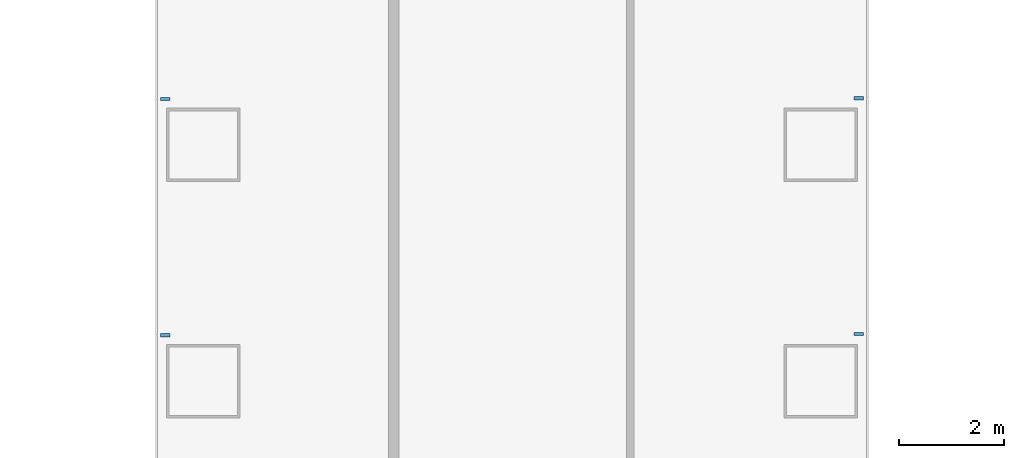
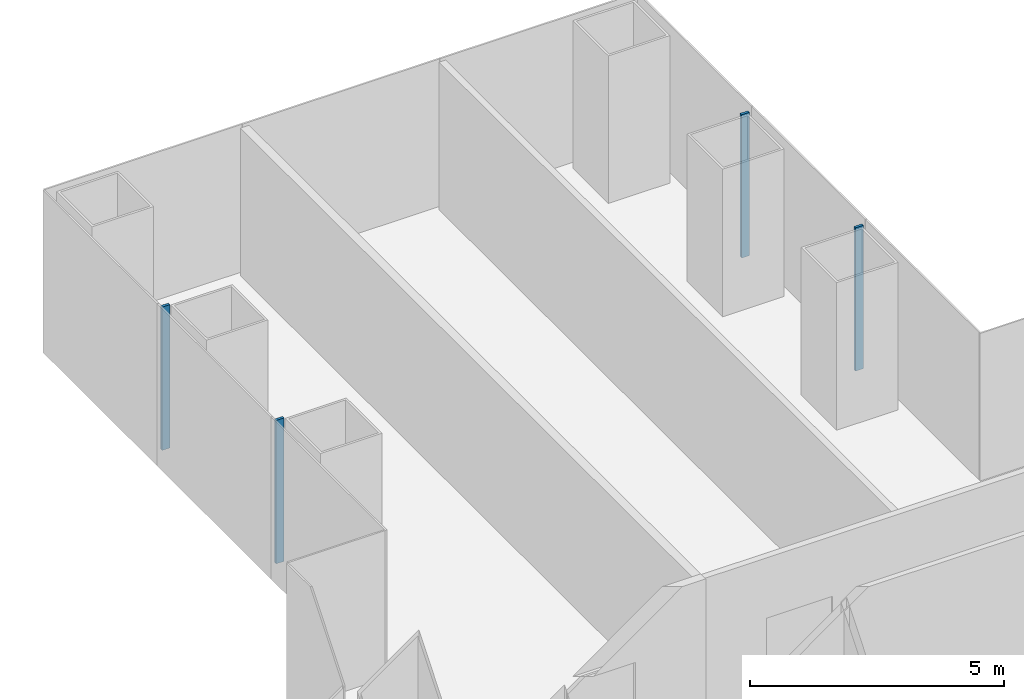
# One storey, part 6 of 21: 4 members, 2 elements without a shape of their own.
"""IFC4 building model written with IfcOpenShell, lengths in metres."""

from ifc_helpers import new_model, si_unit, direction, frame, origin, origin_2d, place, context, subcontext, project, spatial, rectangle, extrude, material, layer, layer_set, material_profile, profile_set, type_object, element, aggregate, save


model = new_model("IFC4")

# Units and contexts
model_context = context("Model", 3, precision=1e-05, world=origin(), true_north=direction((0.0, 1.0)))
body_context = subcontext(model_context, "Body", "Model", "MODEL_VIEW")
ifc_project = project(units=[si_unit("LENGTHUNIT", "METRE"), si_unit("AREAUNIT", "SQUARE_METRE"), si_unit("VOLUMEUNIT", "CUBIC_METRE"), si_unit("PLANEANGLEUNIT", "RADIAN"), si_unit("MASSUNIT", "GRAM", prefix="KILO")], contexts=[model_context])

# Site, building, storey
site_placement = place(None, origin())
site = spatial("IfcSite", under=ifc_project, at=site_placement, CompositionType="ELEMENT")
building_placement = place(site_placement, origin())
building = spatial("IfcBuilding", under=site, at=building_placement, Name="Shamsa Quay Exchange Towers", CompositionType="ELEMENT")
storey_placement = place(building_placement, frame((0.0, 0.0, 49.800048828125)))
storey = spatial("IfcBuildingStorey", under=building, at=storey_placement, Name="L10", CompositionType="ELEMENT", Elevation=49.800048828125)

# Curtain wall, members
ifc_material = material(Name="Aluminium EN AW-6063 T6, black anodised", Category="aluminium")
ifc_layer = layer(ifc_material, 0.280029296875)
ifc_layer_set = layer_set([ifc_layer], Name="CW-1 UNITISED VISION GLASS")
curtain_wall_type = type_object("IfcCurtainWallType", Name="CW-1 UNITISED VISION GLASS", PredefinedType="NOTDEFINED", material=ifc_layer_set)
curtain_wall_1_placement = place(storey_placement, origin())
curtain_wall_1 = element("IfcCurtainWall", 1, at=curtain_wall_1_placement, inside=storey, type_object=curtain_wall_type, Name="CW1 T1-FLK-V+E L10", PredefinedType="NOTDEFINED")
ifc_material_profile = material_profile(ifc_material, rectangle(XDim=0.179931640625, YDim=0.06005859375, at=origin_2d()), Name="MU60x180")
ifc_profile_set = profile_set([ifc_material_profile], Name="Aluminium EN AW-6063 T6, black anodised")
member_type = type_object("IfcMemberType", Name="CW1 MULLION 60x180", PredefinedType="MULLION", material=ifc_profile_set)
member_1_placement = place(storey_placement, frame((-27.14990234375, 15.775390625, 0.0), z_axis=(0.0, 0.0, 1.0), x_axis=(-1.0, 0.0, 0.0)))
member_1 = element("IfcMember", 2, at=member_1_placement, type_object=member_type, Name="CW1 mullion", PredefinedType="MULLION", context=body_context, shape_type="SweptSolid", body=[
    extrude(rectangle(XDim=0.179931640625, YDim=0.06005859375, at=origin_2d()), origin(), (0.0, 0.0, 1.0), 3.449951171875),
])
member_2_placement = place(storey_placement, frame((-27.14990234375, 20.2626953125, 0.0), z_axis=(0.0, 0.0, 1.0), x_axis=(-1.0, 0.0, 0.0)))
member_2 = element("IfcMember", 3, at=member_2_placement, type_object=member_type, Name="CW1 mullion", PredefinedType="MULLION", context=body_context, shape_type="SweptSolid", body=[
    extrude(rectangle(XDim=0.179931640625, YDim=0.06005859375, at=origin_2d()), origin(), (0.0, 0.0, 1.0), 3.449951171875),
])
aggregate(curtain_wall_1, [member_1, member_2])

curtain_wall_2_placement = place(storey_placement, origin())
curtain_wall_2 = element("IfcCurtainWall", 4, at=curtain_wall_2_placement, inside=storey, type_object=curtain_wall_type, Name="CW1 T1-FLK-V+W L10", PredefinedType="NOTDEFINED")
member_3_placement = place(storey_placement, frame((-40.35009765625, 20.25, 0.0)))
member_3 = element("IfcMember", 5, at=member_3_placement, type_object=member_type, Name="CW1 mullion", PredefinedType="MULLION", context=body_context, shape_type="SweptSolid", body=[
    extrude(rectangle(XDim=0.179931640625, YDim=0.06005859375, at=origin_2d()), origin(), (0.0, 0.0, 1.0), 3.449951171875),
])
member_4_placement = place(storey_placement, frame((-40.35009765625, 15.75, 0.0)))
member_4 = element("IfcMember", 6, at=member_4_placement, type_object=member_type, Name="CW1 mullion", PredefinedType="MULLION", context=body_context, shape_type="SweptSolid", body=[
    extrude(rectangle(XDim=0.179931640625, YDim=0.06005859375, at=origin_2d()), origin(), (0.0, 0.0, 1.0), 3.449951171875),
])
aggregate(curtain_wall_2, [member_3, member_4])

save(model, "model.ifc")
